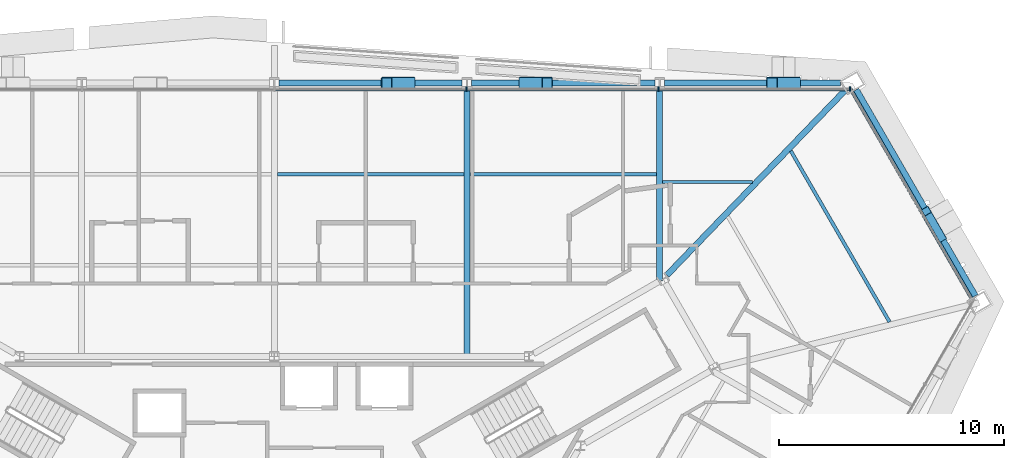
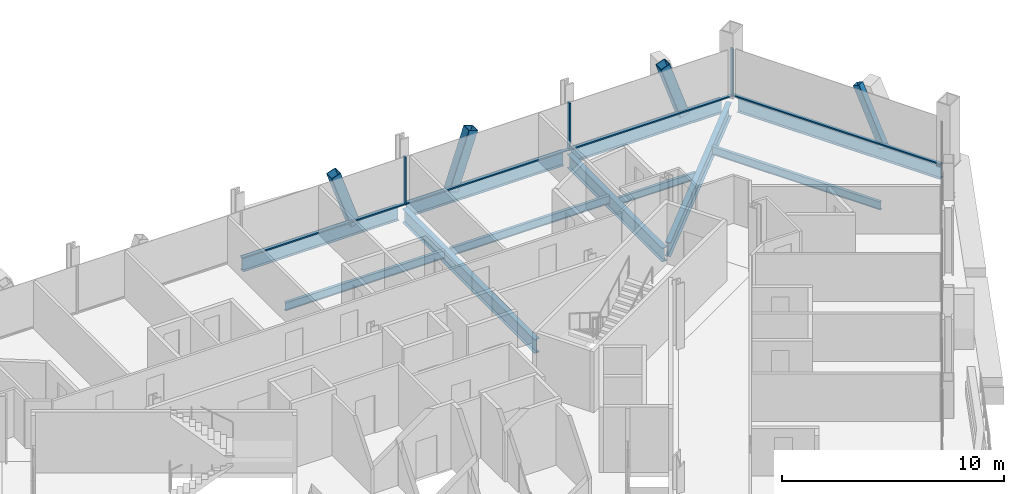
# One storey, part 11 of 20: 11 beams, 11 members, 2 elements without a shape of their own.
"""IFC4 building model written with IfcOpenShell, lengths in metres."""

from ifc_helpers import new_model, si_unit, direction, frame, origin, origin_2d, place, context, subcontext, project, spatial, rectangle, hollow_rectangle, i_section, extrude, material, material_profile, profile_set, type_object, element, aggregate, save


model = new_model("IFC4")

# Units and contexts
model_context = context("Model", 3, precision=1e-05, world=origin(), true_north=direction((0.0, 1.0)))
body_context = subcontext(model_context, "Body", "Model", "MODEL_VIEW")
ifc_project = project(units=[si_unit("LENGTHUNIT", "METRE"), si_unit("AREAUNIT", "SQUARE_METRE"), si_unit("VOLUMEUNIT", "CUBIC_METRE"), si_unit("PLANEANGLEUNIT", "RADIAN"), si_unit("MASSUNIT", "GRAM", prefix="KILO")], contexts=[model_context])

# Site, building, storey
site_placement = place(None, origin())
site = spatial("IfcSite", under=ifc_project, at=site_placement, CompositionType="ELEMENT")
building_placement = place(site_placement, origin())
building = spatial("IfcBuilding", under=site, at=building_placement, Name="Verrane Prism Tower", CompositionType="ELEMENT")
storey_placement = place(building_placement, frame((0.0, 0.0, 69.199951171875)))
storey = spatial("IfcBuildingStorey", under=building, at=storey_placement, Name="L15", CompositionType="ELEMENT", Elevation=69.199951171875)

# Member
ifc_material_1 = material(Name="Steel A500 Grade C", Category="steel")
ifc_material_profile_1 = material_profile(ifc_material_1, hollow_rectangle(XDim=0.355712890625, YDim=0.355712890625, WallThickness=0.0126953125, InnerFilletRadius=0.00634765625, OuterFilletRadius=0.01904296875, at=origin_2d()), Name="HSS14x14x1/2")
ifc_profile_set_1 = profile_set([ifc_material_profile_1], Name="Steel A500 Grade C")
member_type_1 = type_object("IfcMemberType", Name="Chamfer brace HSS14x14x1/2", PredefinedType="BRACE", material=ifc_profile_set_1)
member_1_placement = place(storey_placement, frame((29.688720703125, 14.5, -0.2451171875), z_axis=(-0.204598370086, 0.354152508626, 0.912532469336), x_axis=(-0.865889515344, -0.500235291855, 0.0)))
element("IfcMember", 1, at=member_1_placement, inside=storey, type_object=member_type_1, Name="Chamfer brace NE0 L15", PredefinedType="BRACE", context=body_context, shape_type="SweptSolid", body=[
    extrude(hollow_rectangle(XDim=0.355712890625, YDim=0.355712890625, WallThickness=0.0126953125, InnerFilletRadius=0.00634765625, OuterFilletRadius=0.01904296875, at=origin_2d()), origin(), (0.0, 0.0, 1.0), 3.291015625),
])

# Beams
ifc_material_2 = material(Name="Steel A992", Category="steel")
ifc_material_profile_2 = material_profile(ifc_material_2, i_section(OverallWidth=0.2666015625, OverallDepth=0.76708984375, WebThickness=0.014892578125, FlangeThickness=0.023681640625, FilletRadius=0.0166015625, at=origin_2d()), Name="W30x124")
ifc_profile_set_2 = profile_set([ifc_material_profile_2], Name="Steel A992")
beam_type_1 = type_object("IfcBeamType", Name="Chamfer spandrel beam W30x124", PredefinedType="SPANDREL", material=ifc_profile_set_2)
beam_1_placement = place(storey_placement, frame((31.19482421875, 11.89306640625, -0.54345703125), z_axis=(-0.500233062516, 0.865890803257, 0.0), x_axis=(-0.865890803257, -0.500233062516, 0.0)))
element("IfcBeam", 2, at=beam_1_placement, inside=storey, type_object=beam_type_1, Name="Chamfer spandrel beam L15", PredefinedType="SPANDREL", context=body_context, shape_type="SweptSolid", body=[
    extrude(i_section(OverallWidth=0.2666015625, OverallDepth=0.76708984375, WebThickness=0.014892578125, FlangeThickness=0.023681640625, FilletRadius=0.0166015625, at=origin_2d()), origin(), (0.0, 0.0, 1.0), 10.5947265625),
])
ifc_material_3 = material(Name="Steel A992", Category="steel")
ifc_material_profile_3 = material_profile(ifc_material_3, i_section(OverallWidth=0.2666015625, OverallDepth=0.76708984375, WebThickness=0.014892578125, FlangeThickness=0.023681640625, FilletRadius=0.0166015625, at=origin_2d()), Name="W30x124")
ifc_profile_set_3 = profile_set([ifc_material_profile_3], Name="Steel A992")
beam_type_2 = type_object("IfcBeamType", Name="Corner girder W30x124", PredefinedType="BEAM", material=ifc_profile_set_3)
beam_2_placement = place(storey_placement, frame((25.39501953125, 21.032958984375, -0.603515625), z_axis=(-0.694222573205, -0.719760389889, 0.0), x_axis=(0.719760389889, -0.694222573205, 0.0)))
element("IfcBeam", 3, at=beam_2_placement, inside=storey, type_object=beam_type_2, Name="Corner girder L15", PredefinedType="BEAM", context=body_context, shape_type="SweptSolid", body=[
    extrude(i_section(OverallWidth=0.2666015625, OverallDepth=0.76708984375, WebThickness=0.014892578125, FlangeThickness=0.023681640625, FilletRadius=0.0166015625, at=origin_2d()), origin(), (0.0, 0.0, 1.0), 11.424072265625),
])

# Members
ifc_material_4 = material(Name="Steel A1085 Grade A", Category="steel")
ifc_material_profile_4 = material_profile(ifc_material_4, hollow_rectangle(XDim=0.508056640625, YDim=0.508056640625, WallThickness=0.025390625, InnerFilletRadius=0.0126953125, OuterFilletRadius=0.0380859375, at=origin_2d()), Name="HSS20x20x1")
ifc_profile_set_4 = profile_set([ifc_material_profile_4], Name="Steel A1085 Grade A")
member_type_2 = type_object("IfcMemberType", Name="Facade brace HSS20x20x1", PredefinedType="BRACE", material=ifc_profile_set_4)
member_2_placement = place(storey_placement, frame((23.1708984375, 21.3701171875, -0.242431640625), z_axis=(-0.322030840649, 0.0, 0.946729178631), x_axis=(0.0, -1.0, 0.0)))
element("IfcMember", 4, at=member_2_placement, inside=storey, type_object=member_type_2, Name="Facade brace N0 L15", PredefinedType="BRACE", context=body_context, shape_type="SweptSolid", body=[
    extrude(hollow_rectangle(XDim=0.508056640625, YDim=0.508056640625, WallThickness=0.025390625, InnerFilletRadius=0.0126953125, OuterFilletRadius=0.0380859375, at=origin_2d()), origin(), (0.0, 0.0, 1.0), 3.17724609375),
])
member_3_placement = place(storey_placement, frame((11.122314453125, 21.3701171875, -0.242431640625), z_axis=(0.322306280534, 0.0, 0.94663544278), x_axis=(0.0, 1.0, 0.0)))
element("IfcMember", 5, at=member_3_placement, inside=storey, type_object=member_type_2, Name="Facade brace N1 L15", PredefinedType="BRACE", context=body_context, shape_type="SweptSolid", body=[
    extrude(hollow_rectangle(XDim=0.508056640625, YDim=0.508056640625, WallThickness=0.025390625, InnerFilletRadius=0.0126953125, OuterFilletRadius=0.0380859375, at=origin_2d()), origin(), (0.0, 0.0, 1.0), 3.177734375),
])
member_4_placement = place(storey_placement, frame((6.020751953125, 21.3701171875, -0.242431640625), z_axis=(-0.321961967896, 0.0, 0.946752602969), x_axis=(0.0, -1.0, 0.0)))
element("IfcMember", 6, at=member_4_placement, inside=storey, type_object=member_type_2, Name="Facade brace N2 L15", PredefinedType="BRACE", context=body_context, shape_type="SweptSolid", body=[
    extrude(hollow_rectangle(XDim=0.508056640625, YDim=0.508056640625, WallThickness=0.025390625, InnerFilletRadius=0.0126953125, OuterFilletRadius=0.0380859375, at=origin_2d()), origin(), (0.0, 0.0, 1.0), 3.17724609375),
])

# Beams
ifc_material_5 = material(Name="Steel A992", Category="steel")
ifc_material_profile_5 = material_profile(ifc_material_5, i_section(OverallWidth=0.140380859375, OverallDepth=0.40380859375, WebThickness=0.007080078125, FlangeThickness=0.01123046875, FilletRadius=0.01025390625, at=origin_2d()), Name="W16x31")
ifc_profile_set_5 = profile_set([ifc_material_profile_5], Name="Steel A992")
beam_type_3 = type_object("IfcBeamType", Name="Floor beam W16x31", PredefinedType="BEAM", material=ifc_profile_set_5)
beam_3_placement = place(storey_placement, frame((17.283447265625, 16.9599609375, -0.36181640625), z_axis=(1.0, 0.0, 0.0), x_axis=(0.0, 1.0, 0.0)))
element("IfcBeam", 7, at=beam_3_placement, inside=storey, type_object=beam_type_3, Name="Floor beam L15", PredefinedType="BEAM", context=body_context, shape_type="SweptSolid", body=[
    extrude(i_section(OverallWidth=0.140380859375, OverallDepth=0.40380859375, WebThickness=0.007080078125, FlangeThickness=0.01123046875, FilletRadius=0.01025390625, at=origin_2d()), origin(), (0.0, 0.0, 1.0), 3.99755859375),
])
ifc_material_6 = material(Name="Steel A992", Category="steel")
ifc_material_profile_6 = material_profile(ifc_material_6, i_section(OverallWidth=0.15234375, OverallDepth=0.449462890625, WebThickness=0.007568359375, FlangeThickness=0.0107421875, FilletRadius=0.01025390625, at=origin_2d()), Name="W18x35")
ifc_profile_set_6 = profile_set([ifc_material_profile_6], Name="Steel A992")
beam_type_4 = type_object("IfcBeamType", Name="Floor beam W18x35", PredefinedType="BEAM", material=ifc_profile_set_6)
beam_4_placement = place(storey_placement, frame((8.70361328125, 17.313232421875, -0.384765625), z_axis=(1.0, 0.0, 0.0), x_axis=(0.0, 1.0, 0.0)))
element("IfcBeam", 8, at=beam_4_placement, inside=storey, type_object=beam_type_4, Name="Floor beam L15", PredefinedType="BEAM", context=body_context, shape_type="SweptSolid", body=[
    extrude(i_section(OverallWidth=0.15234375, OverallDepth=0.449462890625, WebThickness=0.007568359375, FlangeThickness=0.0107421875, FilletRadius=0.01025390625, at=origin_2d()), origin(), (0.0, 0.0, 1.0), 8.31298828125),
])
beam_5_placement = place(storey_placement, frame((0.133544921875, 17.313232421875, -0.384765625), z_axis=(1.0, 0.0, 0.0), x_axis=(0.0, 1.0, 0.0)))
element("IfcBeam", 9, at=beam_5_placement, inside=storey, type_object=beam_type_4, Name="Floor beam L15", PredefinedType="BEAM", context=body_context, shape_type="SweptSolid", body=[
    extrude(i_section(OverallWidth=0.15234375, OverallDepth=0.449462890625, WebThickness=0.007568359375, FlangeThickness=0.0107421875, FilletRadius=0.01025390625, at=origin_2d()), origin(), (0.0, 0.0, 1.0), 8.302978515625),
])
beam_6_placement = place(storey_placement, frame((27.376708984375, 10.7333984375, -0.384765625), z_axis=(-0.499991890044, 0.866030086019, 0.0), x_axis=(-0.866030086019, -0.499991890044, 0.0)))
element("IfcBeam", 10, at=beam_6_placement, inside=storey, type_object=beam_type_4, Name="Floor beam L15", PredefinedType="BEAM", context=body_context, shape_type="SweptSolid", body=[
    extrude(i_section(OverallWidth=0.15234375, OverallDepth=0.449462890625, WebThickness=0.007568359375, FlangeThickness=0.0107421875, FilletRadius=0.01025390625, at=origin_2d()), origin(), (0.0, 0.0, 1.0), 8.784912109375),
])

# Curtain wall, members
ifc_material_7 = material(Name="Aluminium framed insulated glazing", Category="aluminium")
curtain_wall_type = type_object("IfcCurtainWallType", Name="Curtain wall CW-A 8400 module", PredefinedType="NOTDEFINED", material=ifc_material_7)
curtain_wall_1_placement = place(storey_placement, origin())
curtain_wall_1 = element("IfcCurtainWall", 11, at=curtain_wall_1_placement, inside=storey, type_object=curtain_wall_type, Name="Glazed curtain wall north face L15", PredefinedType="NOTDEFINED")
ifc_material_8 = material(Name="Aluminium alloy 6063-T6", Category="aluminium")
ifc_material_profile_7 = material_profile(ifc_material_8, rectangle(XDim=0.199951171875, YDim=0.070068359375, at=origin_2d()), Name="Mullion 70x200 aluminium")
ifc_profile_set_7 = profile_set([ifc_material_profile_7], Name="Aluminium alloy 6063-T6")
member_type_3 = type_object("IfcMemberType", Name="Mullion 70x200 aluminium", PredefinedType="MULLION", material=ifc_profile_set_7)
member_5_placement = place(storey_placement, frame((25.61376953125, 21.091064453125, 0.0), z_axis=(0.0, 0.0, 1.0), x_axis=(0.0, -1.0, 0.0)))
member_5 = element("IfcMember", 12, at=member_5_placement, type_object=member_type_3, Name="CW14.2 mullion 1", PredefinedType="MULLION", context=body_context, shape_type="SweptSolid", body=[
    extrude(rectangle(XDim=0.199951171875, YDim=0.070068359375, at=origin_2d()), origin(), (0.0, 0.0, 1.0), 2.613037109375),
])
member_6_placement = place(storey_placement, frame((17.09912109375, 21.091064453125, 0.0), z_axis=(0.0, 0.0, 1.0), x_axis=(0.0, -1.0, 0.0)))
member_6 = element("IfcMember", 13, at=member_6_placement, type_object=member_type_3, Name="CW14.2 mullion 2", PredefinedType="MULLION", context=body_context, shape_type="SweptSolid", body=[
    extrude(rectangle(XDim=0.199951171875, YDim=0.070068359375, at=origin_2d()), origin(), (0.0, 0.0, 1.0), 2.613037109375),
])
member_7_placement = place(storey_placement, frame((8.549560546875, 21.091064453125, 0.0), z_axis=(0.0, 0.0, 1.0), x_axis=(0.0, -1.0, 0.0)))
member_7 = element("IfcMember", 14, at=member_7_placement, type_object=member_type_3, Name="CW14.2 mullion 3", PredefinedType="MULLION", context=body_context, shape_type="SweptSolid", body=[
    extrude(rectangle(XDim=0.199951171875, YDim=0.070068359375, at=origin_2d()), origin(), (0.0, 0.0, 1.0), 2.613037109375),
])

# Beams
ifc_material_9 = material(Name="Steel A992", Category="steel")
ifc_material_profile_8 = material_profile(ifc_material_9, i_section(OverallWidth=0.2666015625, OverallDepth=0.76708984375, WebThickness=0.014892578125, FlangeThickness=0.023681640625, FilletRadius=0.0166015625, at=origin_2d()), Name="W30x124")
ifc_profile_set_8 = profile_set([ifc_material_profile_8], Name="Steel A992")
beam_type_5 = type_object("IfcBeamType", Name="Radial girder W30x124", PredefinedType="BEAM", material=ifc_profile_set_8)
beam_7_placement = place(storey_placement, frame((17.14990234375, 21.12109375, -0.603515625), z_axis=(0.0, -1.0, 0.0), x_axis=(1.0, 0.0, 0.0)))
element("IfcBeam", 15, at=beam_7_placement, inside=storey, type_object=beam_type_5, Name="Radial girder L15", PredefinedType="BEAM", context=body_context, shape_type="SweptSolid", body=[
    extrude(i_section(OverallWidth=0.2666015625, OverallDepth=0.76708984375, WebThickness=0.014892578125, FlangeThickness=0.023681640625, FilletRadius=0.0166015625, at=origin_2d()), origin(), (0.0, 0.0, 1.0), 8.5673828125),
])
beam_8_placement = place(storey_placement, frame((8.570068359375, 21.12109375, -0.603515625), z_axis=(0.0, -1.0, 0.0), x_axis=(1.0, 0.0, 0.0)))
element("IfcBeam", 16, at=beam_8_placement, inside=storey, type_object=beam_type_5, Name="Radial girder L15", PredefinedType="BEAM", context=body_context, shape_type="SweptSolid", body=[
    extrude(i_section(OverallWidth=0.2666015625, OverallDepth=0.76708984375, WebThickness=0.014892578125, FlangeThickness=0.023681640625, FilletRadius=0.0166015625, at=origin_2d()), origin(), (0.0, 0.0, 1.0), 11.921142578125),
])
ifc_material_10 = material(Name="Steel A992", Category="steel")
ifc_material_profile_9 = material_profile(ifc_material_10, i_section(OverallWidth=0.2666015625, OverallDepth=0.7568359375, WebThickness=0.013916015625, FlangeThickness=0.019287109375, FilletRadius=0.0166015625, at=origin_2d()), Name="W30x108")
ifc_profile_set_9 = profile_set([ifc_material_profile_9], Name="Steel A992")
beam_type_6 = type_object("IfcBeamType", Name="Spandrel beam W30x108", PredefinedType="SPANDREL", material=ifc_profile_set_9)
beam_9_placement = place(storey_placement, frame((25.200439453125, 21.3701171875, -0.538330078125), z_axis=(-1.0, 0.0, 0.0), x_axis=(0.0, -1.0, 0.0)))
element("IfcBeam", 17, at=beam_9_placement, inside=storey, type_object=beam_type_6, Name="Spandrel beam L15", PredefinedType="SPANDREL", context=body_context, shape_type="SweptSolid", body=[
    extrude(i_section(OverallWidth=0.2666015625, OverallDepth=0.7568359375, WebThickness=0.013916015625, FlangeThickness=0.019287109375, FilletRadius=0.0166015625, at=origin_2d()), origin(), (0.0, 0.0, 1.0), 7.83447265625),
])
beam_10_placement = place(storey_placement, frame((16.93408203125, 21.3701171875, -0.538330078125), z_axis=(-1.0, 0.0, 0.0), x_axis=(0.0, -1.0, 0.0)))
element("IfcBeam", 18, at=beam_10_placement, inside=storey, type_object=beam_type_6, Name="Spandrel beam L15", PredefinedType="SPANDREL", context=body_context, shape_type="SweptSolid", body=[
    extrude(i_section(OverallWidth=0.2666015625, OverallDepth=0.7568359375, WebThickness=0.013916015625, FlangeThickness=0.019287109375, FilletRadius=0.0166015625, at=origin_2d()), origin(), (0.0, 0.0, 1.0), 8.148193359375),
])
beam_11_placement = place(storey_placement, frame((8.35400390625, 21.3701171875, -0.538330078125), z_axis=(-1.0, 0.0, 0.0), x_axis=(0.0, -1.0, 0.0)))
element("IfcBeam", 19, at=beam_11_placement, inside=storey, type_object=beam_type_6, Name="Spandrel beam L15", PredefinedType="SPANDREL", context=body_context, shape_type="SweptSolid", body=[
    extrude(i_section(OverallWidth=0.2666015625, OverallDepth=0.7568359375, WebThickness=0.013916015625, FlangeThickness=0.019287109375, FilletRadius=0.0166015625, at=origin_2d()), origin(), (0.0, 0.0, 1.0), 8.13818359375),
])

# Curtain wall, member
curtain_wall_2_placement = place(storey_placement, origin())
curtain_wall_2 = element("IfcCurtainWall", 20, at=curtain_wall_2_placement, inside=storey, type_object=curtain_wall_type, Name="Glazed curtain wall north-east corner L15", PredefinedType="NOTDEFINED")
ifc_material_11 = material(Name="Aluminium alloy 6063-T6", Category="aluminium")
ifc_material_profile_10 = material_profile(ifc_material_11, rectangle(XDim=0.14990234375, YDim=0.070068359375, at=origin_2d()), Name="Transom 70x150 aluminium")
ifc_profile_set_10 = profile_set([ifc_material_profile_10], Name="Aluminium alloy 6063-T6")
member_type_4 = type_object("IfcMemberType", Name="Transom 70x150 aluminium", PredefinedType="USERDEFINED", material=ifc_profile_set_10)
member_8_placement = place(storey_placement, frame((31.0546875, 11.7275390625, 0.03515625), z_axis=(-0.499998054568, 0.866026526977, 0.0), x_axis=(-0.866026526977, -0.499998054568, 0.0)))
member_8 = element("IfcMember", 21, at=member_8_placement, type_object=member_type_4, Name="CW14.1 transom 1", ObjectType="TRANSOM", PredefinedType="USERDEFINED", context=body_context, shape_type="SweptSolid", body=[
    extrude(rectangle(XDim=0.14990234375, YDim=0.070068359375, at=origin_2d()), origin(), (0.0, 0.0, 1.0), 10.81201171875),
])
aggregate(curtain_wall_2, [member_8])

# Member
member_9_placement = place(storey_placement, frame((25.578857421875, 21.091064453125, 0.03515625), z_axis=(-1.0, 0.0, 0.0), x_axis=(0.0, -1.0, 0.0)))
member_9 = element("IfcMember", 22, at=member_9_placement, type_object=member_type_4, Name="CW14.2 transom 1", ObjectType="TRANSOM", PredefinedType="USERDEFINED", context=body_context, shape_type="SweptSolid", body=[
    extrude(rectangle(XDim=0.14990234375, YDim=0.070068359375, at=origin_2d()), origin(), (0.0, 0.0, 1.0), 8.444580078125),
])

member_10_placement = place(storey_placement, frame((17.064208984375, 21.091064453125, 0.03515625), z_axis=(-1.0, 0.0, 0.0), x_axis=(0.0, -1.0, 0.0)))
member_10 = element("IfcMember", 23, at=member_10_placement, type_object=member_type_4, Name="CW14.2 transom 2", ObjectType="TRANSOM", PredefinedType="USERDEFINED", context=body_context, shape_type="SweptSolid", body=[
    extrude(rectangle(XDim=0.14990234375, YDim=0.070068359375, at=origin_2d()), origin(), (0.0, 0.0, 1.0), 8.4794921875),
])

member_11_placement = place(storey_placement, frame((8.5146484375, 21.091064453125, 0.03515625), z_axis=(-1.0, 0.0, 0.0), x_axis=(0.0, -1.0, 0.0)))
member_11 = element("IfcMember", 24, at=member_11_placement, type_object=member_type_4, Name="CW14.2 transom 3", ObjectType="TRANSOM", PredefinedType="USERDEFINED", context=body_context, shape_type="SweptSolid", body=[
    extrude(rectangle(XDim=0.14990234375, YDim=0.070068359375, at=origin_2d()), origin(), (0.0, 0.0, 1.0), 8.479736328125),
])

aggregate(curtain_wall_1, [member_5, member_6, member_7, member_9, member_10, member_11])

save(model, "model.ifc")
